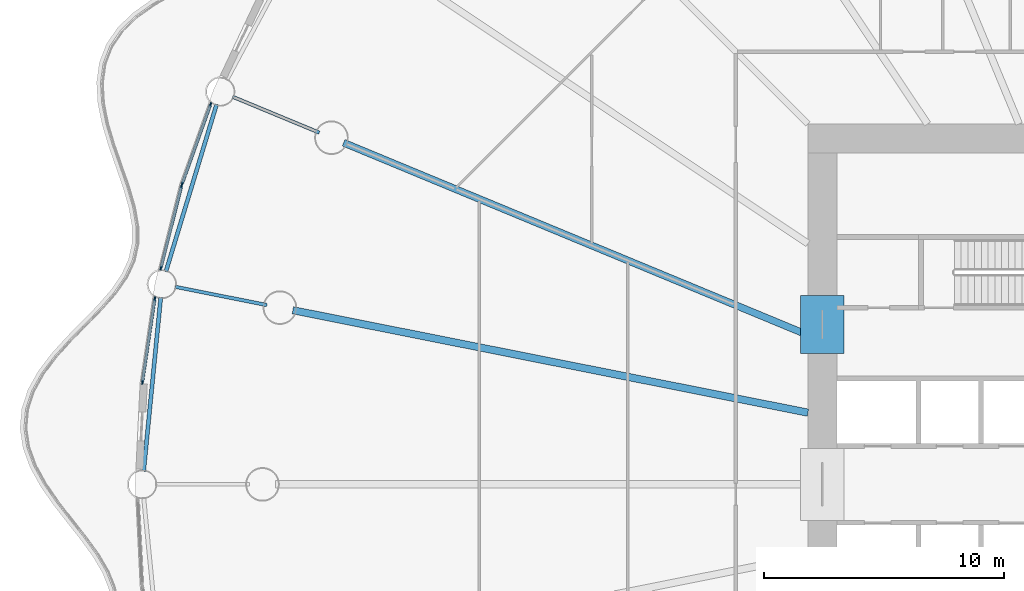
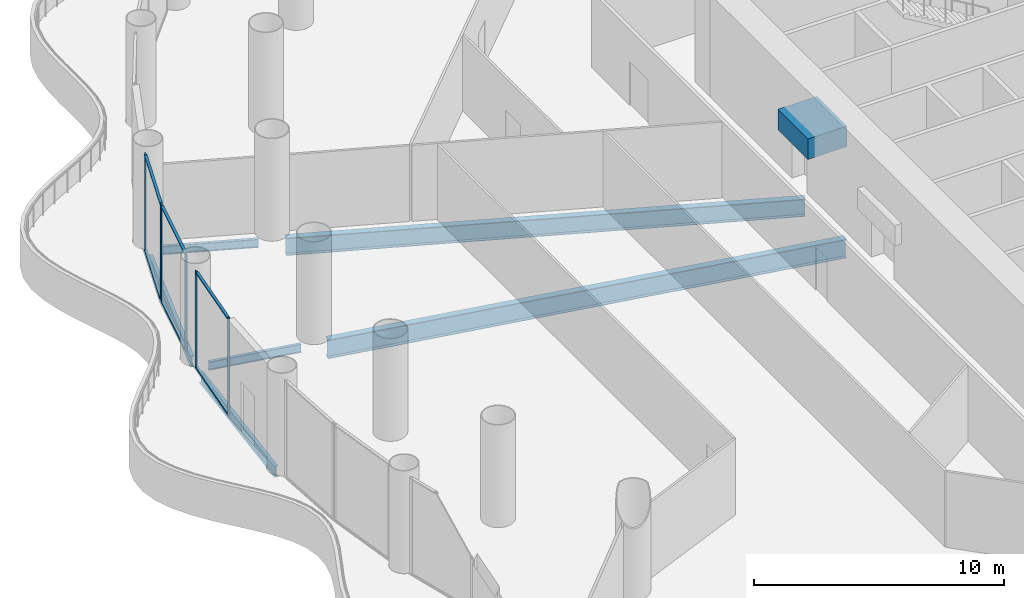
# One storey, part 8 of 35: 12 members, 7 beams, 3 elements without a shape of their own.
"""IFC4 building model written with IfcOpenShell, lengths in metres."""

import ifcopenshell
import ifcopenshell.guid

model = None  # the IFC model being written
_history = None  # IfcOwnerHistory: only IFC2X3 demands one
_inside = {}  # id of a spatial element -> (the spatial element, [elements in it])
_under = {}  # id of a project, library or spatial element -> (it, [spatial elements below it])
_declared = {}  # id of a project -> (the project, [libraries it declares])
_typed = {}  # id of a type object -> (the type object, [elements of that type])
_made_of = {}  # id of a material, layer set ... -> (it, [elements and type objects made of it])


def new_model(schema):
    """Start an empty IFC model of exactly this schema.

    Asked for "IFC4X3", IfcOpenShell would pick the latest addendum, in which some entities
    have other attributes; the version numbers below select the first issue.
    IFC2X3 requires an IfcOwnerHistory on every rooted entity: one is made here for all.
    """
    global model, _history
    if schema == "IFC4X3":
        model = ifcopenshell.file(schema_version=(4, 3, 0, 0))
    else:
        model = ifcopenshell.file(schema=schema)
    _inside.clear()
    _under.clear()
    _declared.clear()
    _typed.clear()
    _made_of.clear()
    _history = None
    if model.schema == "IFC2X3":
        org = make("IfcOrganization", Name="unknown")
        user = make(
            "IfcPersonAndOrganization",
            ThePerson=make("IfcPerson", FamilyName="unknown"),
            TheOrganization=org,
        )
        app = make(
            "IfcApplication",
            ApplicationDeveloper=org,
            Version="unknown",
            ApplicationFullName="unknown",
            ApplicationIdentifier="unknown",
        )
        _history = make(
            "IfcOwnerHistory",
            OwningUser=user,
            OwningApplication=app,
            ChangeAction="ADDED",
            CreationDate=0,
        )
    return model


def make(cls, **values):
    """One entity of the class cls with the attributes given. An attribute that is None is left unset."""
    return model.create_entity(
        cls, **{name: value for name, value in values.items() if value is not None}
    )


def rooted(cls, **values):
    """An entity with a GlobalId (a new one), such as an element, a storey or a relation."""
    return make(cls, GlobalId=ifcopenshell.guid.new(), OwnerHistory=_history, **values)


def si_unit(unit_type, name, prefix=None):
    """IfcSIUnit, for example si_unit("LENGTHUNIT", "METRE", prefix="MILLI")."""
    return make("IfcSIUnit", UnitType=unit_type, Prefix=prefix, Name=name)


def assignment(units):
    """IfcUnitAssignment: the units of a project."""
    return None if units is None else make("IfcUnitAssignment", Units=units)


def point(xyz):
    """IfcCartesianPoint."""
    return None if xyz is None else make("IfcCartesianPoint", Coordinates=xyz)


def direction(xyz):
    """IfcDirection."""
    return None if xyz is None else make("IfcDirection", DirectionRatios=xyz)


def frame(location, z_axis=None, x_axis=None):
    """IfcAxis2Placement3D, a coordinate frame: its origin and axes. An axis left out is left unset."""
    return make(
        "IfcAxis2Placement3D",
        Location=point(location),
        Axis=direction(z_axis),
        RefDirection=direction(x_axis),
    )


def frame_2d(location, x_axis=None):
    """IfcAxis2Placement2D, a coordinate frame in the plane: its origin and x axis."""
    return make(
        "IfcAxis2Placement2D", Location=point(location), RefDirection=direction(x_axis)
    )


def origin():
    """The frame at (0, 0, 0) with its axes left unset."""
    return frame((0.0, 0.0, 0.0))


def origin_2d():
    """The frame at (0, 0) in the plane with its x axis left unset."""
    return frame_2d((0.0, 0.0))


def place(relative_to, where):
    """IfcLocalPlacement: puts the frame where relative to a parent placement (None: the world)."""
    return make(
        "IfcLocalPlacement", PlacementRelTo=relative_to, RelativePlacement=where
    )


def context(
    kind, dimensions, precision=None, world=None, true_north=None, identifier=None
):
    """IfcGeometricRepresentationContext, for example the 3D "Model" context."""
    return make(
        "IfcGeometricRepresentationContext",
        ContextIdentifier=identifier,
        ContextType=kind,
        CoordinateSpaceDimension=dimensions,
        Precision=precision,
        WorldCoordinateSystem=world,
        TrueNorth=true_north,
    )


def subcontext(parent, identifier, kind, view, scale=None):
    """IfcGeometricRepresentationSubContext, for example "Body" below "Model"."""
    return make(
        "IfcGeometricRepresentationSubContext",
        ContextIdentifier=identifier,
        ContextType=kind,
        ParentContext=parent,
        TargetScale=scale,
        TargetView=view,
    )


def project(units=None, contexts=None):
    """IfcProject with its units and contexts."""
    return rooted(
        "IfcProject",
        Name="project",
        RepresentationContexts=contexts,
        UnitsInContext=assignment(units),
    )


def spatial(cls, under=None, at=None, **own):
    """A site, building, storey or space (cls), placed at a placement, below another one or the project."""
    s = rooted(cls, ObjectPlacement=at, **own)
    if under is not None:
        _under.setdefault(under.id(), (under, []))[1].append(s)
    return s


def profile(cls, at=None, kind="AREA", **sizes):
    """A parametric profile (cls). Its sizes go by their IFC names, for example OverallWidth=200.0."""
    return make(cls, ProfileType=kind, Position=at, **sizes)


def rectangle(**sizes):
    """IfcRectangleProfileDef."""
    return profile("IfcRectangleProfileDef", **sizes)


def i_section(**sizes):
    """IfcIShapeProfileDef."""
    return profile("IfcIShapeProfileDef", **sizes)


def extrude(swept, where, along, depth):
    """IfcExtrudedAreaSolid: the profile swept, set in the frame where, extruded along a direction by depth."""
    return make(
        "IfcExtrudedAreaSolid",
        SweptArea=swept,
        Position=where,
        ExtrudedDirection=direction(along),
        Depth=depth,
    )


def shape(context_of_items, identifier, shape_type, items):
    """IfcShapeRepresentation: the items that make up one representation, for example the "Body"."""
    return make(
        "IfcShapeRepresentation",
        ContextOfItems=context_of_items,
        RepresentationIdentifier=identifier,
        RepresentationType=shape_type,
        Items=items,
    )


def material(Name=None, Category=None):
    """IfcMaterial."""
    return make("IfcMaterial", Name=Name, Category=Category)


def material_profile(
    of_material, cross_section, Name=None, Category=None, Priority=None
):
    """IfcMaterialProfile: a cross section and its material."""
    return make(
        "IfcMaterialProfile",
        Name=Name,
        Material=of_material,
        Profile=cross_section,
        Priority=Priority,
        Category=Category,
    )


def profile_set(profiles, Name=None, composite=None):
    """IfcMaterialProfileSet."""
    return make(
        "IfcMaterialProfileSet",
        Name=Name,
        MaterialProfiles=profiles,
        CompositeProfile=composite,
    )


def made_of(thing, what):
    """Note that an element or type object is made of a material, layer set ...; save() writes the relation."""
    if what is not None:
        _made_of.setdefault(what.id(), (what, []))[1].append(thing)
    return thing


def type_object(cls, material=None, **own):
    """A type object (cls), such as IfcWallType, which elements share."""
    return made_of(rooted(cls, **own), material)


def element(
    cls,
    number,
    at=None,
    inside=None,
    cuts=None,
    type_object=None,
    material=None,
    context=None,
    identifier="Body",
    shape_type=None,
    held_by="IfcProductDefinitionShape",
    body=None,
    shapes=None,
    **own,
):
    """One element of the class cls, such as IfcWall. Its Tag is "e" and its number.

    at: its placement. inside: the storey or other place that contains it. cuts: it is an
    opening in that element (IfcRelVoidsElement). A single representation is given by context,
    identifier, shape_type and body (its items); several are given by shapes. held_by: the class
    of the entity that holds the representations. save() writes the other relations.
    """
    e = rooted(cls, Tag="e%d" % number, ObjectPlacement=at, **own)
    if body is not None:
        shapes = [shape(context, identifier, shape_type, body)]
    if shapes is not None:
        e.Representation = make(held_by, Representations=shapes)
    if inside is not None:
        _inside.setdefault(inside.id(), (inside, []))[1].append(e)
    if cuts is not None:
        rooted(
            "IfcRelVoidsElement", RelatingBuildingElement=cuts, RelatedOpeningElement=e
        )
    if type_object is not None:
        _typed.setdefault(type_object.id(), (type_object, []))[1].append(e)
    return made_of(e, material)


def aggregate(whole, parts):
    """IfcRelAggregates: a whole, such as a stair, and the parts it consists of."""
    return rooted("IfcRelAggregates", RelatingObject=whole, RelatedObjects=parts)


def save(model, path):
    """Write the relations noted so far, then the file.

    IfcRelAggregates (storeys below a building ...), IfcRelContainedInSpatialStructure (elements
    in a storey), IfcRelDefinesByType, IfcRelAssociatesMaterial and IfcRelDeclares: one each for
    every whole, place, type object, material and project.
    """
    for whole, parts in _under.values():
        aggregate(whole, parts)
    for where, things in _inside.values():
        rooted(
            "IfcRelContainedInSpatialStructure",
            RelatedElements=things,
            RelatingStructure=where,
        )
    for kind, things in _typed.values():
        rooted("IfcRelDefinesByType", RelatedObjects=things, RelatingType=kind)
    for what, things in _made_of.values():
        rooted("IfcRelAssociatesMaterial", RelatedObjects=things, RelatingMaterial=what)
    for by, libraries in _declared.values():
        rooted("IfcRelDeclares", RelatingContext=by, RelatedDefinitions=libraries)
    model.write(path)


model = new_model("IFC4")

# Units and contexts
model_context = context("Model", 3, precision=1e-05, world=origin(), true_north=direction((0.0, 1.0)))
body_context = subcontext(model_context, "Body", "Model", "MODEL_VIEW")
ifc_project = project(units=[si_unit("LENGTHUNIT", "METRE"), si_unit("AREAUNIT", "SQUARE_METRE"), si_unit("VOLUMEUNIT", "CUBIC_METRE"), si_unit("PLANEANGLEUNIT", "RADIAN"), si_unit("MASSUNIT", "GRAM", prefix="KILO")], contexts=[model_context])

# Site, building, storey
site_placement = place(None, origin())
site = spatial("IfcSite", under=ifc_project, at=site_placement, CompositionType="ELEMENT")
building_placement = place(site_placement, origin())
building = spatial("IfcBuilding", under=site, at=building_placement, Name="Corvane Civic Tower", CompositionType="ELEMENT")
storey_placement = place(building_placement, frame((0.0, 0.0, 27.0)))
storey = spatial("IfcBuildingStorey", under=building, at=storey_placement, Name="L05", CompositionType="ELEMENT", Elevation=27.0)

# Beams
ifc_material_1 = material(Name="Concrete C80/95", Category="concrete")
ifc_material_profile_1 = material_profile(ifc_material_1, rectangle(XDim=1.800048828125, YDim=1.0, at=origin_2d()), Name="COUPLING BEAM 1800X1000")
ifc_profile_set_1 = profile_set([ifc_material_profile_1], Name="Concrete C80/95")
beam_type_1 = type_object("IfcBeamType", Name="COUPLING BEAM COUPLING BEAM 1800X1000", PredefinedType="BEAM", material=ifc_profile_set_1)
beam_1_placement = place(storey_placement, frame((-14.39990234375, 5.449951171875, 2.60009765625), z_axis=(0.0, 1.0, 0.0), x_axis=(-1.0, 0.0, 0.0)))
element("IfcBeam", 1, at=beam_1_placement, inside=storey, type_object=beam_type_1, Name="BM-L05-cpl-CW-WN", PredefinedType="BEAM", context=body_context, shape_type="SweptSolid", body=[
    extrude(rectangle(XDim=1.800048828125, YDim=1.0, at=origin_2d()), origin(), (0.0, 0.0, 1.0), 2.400146484375),
])
ifc_material_2 = material(Name="Steel ASTM A992 Gr 50", Category="steel")
ifc_material_profile_2 = material_profile(ifc_material_2, i_section(OverallWidth=0.165771484375, OverallDepth=0.5283203125, WebThickness=0.009765625, FlangeThickness=0.013671875, at=origin_2d()), Name="W21X50")
ifc_profile_set_2 = profile_set([ifc_material_profile_2], Name="Steel ASTM A992 Gr 50")
beam_type_2 = type_object("IfcBeamType", Name="EDGE BEAM W21X50", PredefinedType="BEAM", material=ifc_profile_set_2)
for number, where, z_axis, x_axis, name in (
    (2, (-42.64599609375, 0.54736328125, -0.564208984375), (0.097984225478, 0.995187967953, 0.0), (-0.995187967953, 0.097984225478, 0.0), "BM-L05-E25"),
    (3, (-41.719970703125, 8.856689453125, -0.564208984375), (0.290291633127, 0.956938225664, 0.0), (-0.956938225664, 0.290291633127, 0.0), "BM-L05-E26"),
):
    element("IfcBeam", number, at=place(storey_placement, frame(where, z_axis=z_axis, x_axis=x_axis)), inside=storey, type_object=beam_type_2, Name=name, PredefinedType="BEAM", context=body_context, shape_type="SweptSolid", body=[
        extrude(i_section(OverallWidth=0.165771484375, OverallDepth=0.5283203125, WebThickness=0.009765625, FlangeThickness=0.013671875, at=origin_2d()), origin(), (0.0, 0.0, 1.0), 7.2705078125),
    ])
ifc_material_3 = material(Name="Steel ASTM A992 Gr 50", Category="steel")
ifc_material_profile_3 = material_profile(ifc_material_3, i_section(OverallWidth=0.140380859375, OverallDepth=0.40380859375, WebThickness=0.007080078125, FlangeThickness=0.01123046875, at=origin_2d()), Name="W16X31")
ifc_profile_set_3 = profile_set([ifc_material_profile_3], Name="Steel ASTM A992 Gr 50")
beam_type_3 = type_object("IfcBeamType", Name="FLOOR GIRDER W16X31", PredefinedType="BEAM", material=ifc_profile_set_3)
for number, where, z_axis, x_axis, name in (
    (4, (-37.51513671875, 7.462158203125, -0.501953125), (-0.980777614264, 0.195128858343, 0.0), (-0.195128858343, -0.980777614264, 0.0), "BM-L05-G26b"),
    (5, (-35.33837890625, 14.6376953125, -0.501953125), (-0.923878730261, 0.382685369162, 0.0), (-0.382685369162, -0.923878730261, 0.0), "BM-L05-G27b"),
):
    element("IfcBeam", number, at=place(storey_placement, frame(where, z_axis=z_axis, x_axis=x_axis)), inside=storey, type_object=beam_type_3, Name=name, PredefinedType="BEAM", context=body_context, shape_type="SweptSolid", body=[
        extrude(i_section(OverallWidth=0.140380859375, OverallDepth=0.40380859375, WebThickness=0.007080078125, FlangeThickness=0.01123046875, at=origin_2d()), origin(), (0.0, 0.0, 1.0), 3.89990234375),
    ])
ifc_material_4 = material(Name="Steel ASTM A992 Gr 50", Category="steel")
ifc_material_profile_4 = material_profile(ifc_material_4, i_section(OverallWidth=0.2919921875, OverallDepth=0.845703125, WebThickness=0.015380859375, FlangeThickness=0.0244140625, at=origin_2d()), Name="W33X141")
ifc_profile_set_4 = profile_set([ifc_material_profile_4], Name="Steel ASTM A992 Gr 50")
beam_type_4 = type_object("IfcBeamType", Name="FLOOR GIRDER W33X141", PredefinedType="BEAM", material=ifc_profile_set_4)
beam_2_placement = place(storey_placement, frame((-15.0, 6.213134765625, -0.722900390625), z_axis=(-0.923875834355, 0.382692360381, 0.0), x_axis=(-0.382692360381, -0.923875834355, 0.0)))
element("IfcBeam", 6, at=beam_2_placement, inside=storey, type_object=beam_type_4, Name="BM-L05-G27", PredefinedType="BEAM", context=body_context, shape_type="SweptSolid", body=[
    extrude(i_section(OverallWidth=0.2919921875, OverallDepth=0.845703125, WebThickness=0.015380859375, FlangeThickness=0.0244140625, at=origin_2d()), origin(), (0.0, 0.0, 1.0), 20.9140625),
])
ifc_material_5 = material(Name="Steel ASTM A992 Gr 50", Category="steel")
ifc_material_profile_5 = material_profile(ifc_material_5, i_section(OverallWidth=0.3046875, OverallDepth=0.911865234375, WebThickness=0.015869140625, FlangeThickness=0.02392578125, at=origin_2d()), Name="W36X150")
ifc_profile_set_5 = profile_set([ifc_material_profile_5], Name="Steel ASTM A992 Gr 50")
beam_type_5 = type_object("IfcBeamType", Name="FLOOR GIRDER W36X150", PredefinedType="BEAM", material=ifc_profile_set_5)
beam_3_placement = place(storey_placement, frame((-15.0, 2.983642578125, -0.755859375), z_axis=(-0.980785499679, 0.195089219638, 0.0), x_axis=(-0.195089219638, -0.980785499679, 0.0)))
element("IfcBeam", 7, at=beam_3_placement, inside=storey, type_object=beam_type_5, Name="BM-L05-G26", PredefinedType="BEAM", context=body_context, shape_type="SweptSolid", body=[
    extrude(i_section(OverallWidth=0.3046875, OverallDepth=0.911865234375, WebThickness=0.015869140625, FlangeThickness=0.02392578125, at=origin_2d()), origin(), (0.0, 0.0, 1.0), 21.856201171875),
])

# Curtain wall, members
ifc_material_6 = material(Name="Aluminium and glass", Category="aluminium")
curtain_wall_type = type_object("IfcCurtainWallType", Name="PODIUM-CW-P-RUN", PredefinedType="NOTDEFINED", material=ifc_material_6)
curtain_wall_1_placement = place(storey_placement, origin())
curtain_wall_1 = element("IfcCurtainWall", 8, at=curtain_wall_1_placement, inside=storey, type_object=curtain_wall_type, Name="PODI run L05-drum-25B", PredefinedType="NOTDEFINED")
ifc_material_7 = material(Name="Anodised aluminium bronze", Category="aluminium")
ifc_material_profile_6 = material_profile(ifc_material_7, rectangle(XDim=0.06005859375, YDim=0.159912109375, at=origin_2d()), Name="AL 60x160")
ifc_profile_set_6 = profile_set([ifc_material_profile_6], Name="Anodised aluminium bronze")
member_type_1 = type_object("IfcMemberType", Name="PODIUM-CWP-MULLION-60x160", PredefinedType="MULLION", material=ifc_profile_set_6)
member_1_placement = place(storey_placement, frame((-42.696533203125, 4.2509765625, 0.0), z_axis=(0.0, 0.0, 1.0), x_axis=(-0.989178850608, 0.146714694252, 0.0)))
member_1 = element("IfcMember", 9, at=member_1_placement, type_object=member_type_1, Name="CW-P mullion 1", PredefinedType="MULLION", context=body_context, shape_type="SweptSolid", body=[
    extrude(rectangle(XDim=0.06005859375, YDim=0.159912109375, at=origin_2d()), origin(), (0.0, 0.0, 1.0), 4.699951171875),
])
member_2_placement = place(storey_placement, frame((-42.18017578125, 7.732666015625, 0.0), z_axis=(0.0, 0.0, 1.0), x_axis=(-0.989178850608, 0.146714694252, 0.0)))
member_2 = element("IfcMember", 10, at=member_2_placement, type_object=member_type_1, Name="CW-P mullion 2", PredefinedType="MULLION", context=body_context, shape_type="SweptSolid", body=[
    extrude(rectangle(XDim=0.06005859375, YDim=0.159912109375, at=origin_2d()), origin(), (0.0, 0.0, 1.0), 4.699951171875),
])

curtain_wall_2_placement = place(storey_placement, origin())
curtain_wall_2 = element("IfcCurtainWall", 11, at=curtain_wall_2_placement, inside=storey, type_object=curtain_wall_type, Name="PODI run L05-drum-26A", PredefinedType="NOTDEFINED")
member_3_placement = place(storey_placement, frame((-41.9287109375, 8.99755859375, 0.0), z_axis=(0.0, 0.0, 1.0), x_axis=(-0.970024070659, 0.243008852393, 0.0)))
member_3 = element("IfcMember", 12, at=member_3_placement, type_object=member_type_1, Name="CW-P mullion 1", PredefinedType="MULLION", context=body_context, shape_type="SweptSolid", body=[
    extrude(rectangle(XDim=0.06005859375, YDim=0.159912109375, at=origin_2d()), origin(), (0.0, 0.0, 1.0), 4.699951171875),
])
member_4_placement = place(storey_placement, frame((-41.0732421875, 12.411865234375, 0.0), z_axis=(0.0, 0.0, 1.0), x_axis=(-0.970024070659, 0.243008852393, 0.0)))
member_4 = element("IfcMember", 13, at=member_4_placement, type_object=member_type_1, Name="CW-P mullion 2", PredefinedType="MULLION", context=body_context, shape_type="SweptSolid", body=[
    extrude(rectangle(XDim=0.06005859375, YDim=0.159912109375, at=origin_2d()), origin(), (0.0, 0.0, 1.0), 4.699951171875),
])

curtain_wall_3_placement = place(storey_placement, origin())
curtain_wall_3 = element("IfcCurtainWall", 14, at=curtain_wall_3_placement, inside=storey, type_object=curtain_wall_type, Name="PODI run L05-drum-26B", PredefinedType="NOTDEFINED")
member_5_placement = place(storey_placement, frame((-41.046875, 12.4990234375, 0.0), z_axis=(0.0, 0.0, 1.0), x_axis=(-0.941533802561, 0.336918534123, 0.0)))
member_5 = element("IfcMember", 15, at=member_5_placement, type_object=member_type_1, Name="CW-P mullion 1", PredefinedType="MULLION", context=body_context, shape_type="SweptSolid", body=[
    extrude(rectangle(XDim=0.06005859375, YDim=0.159912109375, at=origin_2d()), origin(), (0.0, 0.0, 1.0), 4.699951171875),
])
member_6_placement = place(storey_placement, frame((-39.861083984375, 15.81298828125, 0.0), z_axis=(0.0, 0.0, 1.0), x_axis=(-0.941533802561, 0.336918534123, 0.0)))
member_6 = element("IfcMember", 16, at=member_6_placement, type_object=member_type_1, Name="CW-P mullion 2", PredefinedType="MULLION", context=body_context, shape_type="SweptSolid", body=[
    extrude(rectangle(XDim=0.06005859375, YDim=0.159912109375, at=origin_2d()), origin(), (0.0, 0.0, 1.0), 4.699951171875),
])

# Member
ifc_material_8 = material(Name="Anodised aluminium bronze", Category="aluminium")
ifc_material_profile_7 = material_profile(ifc_material_8, rectangle(XDim=0.1201171875, YDim=0.06005859375, at=origin_2d()), Name="AL 120x60")
ifc_profile_set_7 = profile_set([ifc_material_profile_7], Name="Anodised aluminium bronze")
member_type_2 = type_object("IfcMemberType", Name="PODIUM-CWP-TRANSOM-60x120", PredefinedType="USERDEFINED", material=ifc_profile_set_7)
member_7_placement = place(storey_placement, frame((-42.692138671875, 4.28076171875, 0.030029296875), z_axis=(0.146704660039, 0.989180338828, 0.0), x_axis=(-0.989180338828, 0.146704660039, 0.0)))
member_7 = element("IfcMember", 17, at=member_7_placement, type_object=member_type_2, Name="CW-P transom 1.1", ObjectType="TRANSOM", PredefinedType="USERDEFINED", context=body_context, shape_type="SweptSolid", body=[
    extrude(rectangle(XDim=0.1201171875, YDim=0.06005859375, at=origin_2d()), origin(), (0.0, 0.0, 1.0), 3.459716796875),
])

member_8_placement = place(storey_placement, frame((-42.692138671875, 4.28076171875, 4.669921875), z_axis=(0.146704660039, 0.989180338828, 0.0), x_axis=(-0.989180338828, 0.146704660039, 0.0)))
member_8 = element("IfcMember", 18, at=member_8_placement, type_object=member_type_2, Name="CW-P transom 1.2", ObjectType="TRANSOM", PredefinedType="USERDEFINED", context=body_context, shape_type="SweptSolid", body=[
    extrude(rectangle(XDim=0.1201171875, YDim=0.06005859375, at=origin_2d()), origin(), (0.0, 0.0, 1.0), 3.459716796875),
])

aggregate(curtain_wall_1, [member_1, member_2, member_7, member_8])

member_9_placement = place(storey_placement, frame((-41.92138671875, 9.026611328125, 0.030029296875), z_axis=(0.243017080124, 0.970022009425, 0.0), x_axis=(-0.970022009425, 0.243017080124, 0.0)))
member_9 = element("IfcMember", 19, at=member_9_placement, type_object=member_type_2, Name="CW-P transom 1.1", ObjectType="TRANSOM", PredefinedType="USERDEFINED", context=body_context, shape_type="SweptSolid", body=[
    extrude(rectangle(XDim=0.1201171875, YDim=0.06005859375, at=origin_2d()), origin(), (0.0, 0.0, 1.0), 3.4599609375),
])

member_10_placement = place(storey_placement, frame((-41.92138671875, 9.026611328125, 4.669921875), z_axis=(0.243017080124, 0.970022009425, 0.0), x_axis=(-0.970022009425, 0.243017080124, 0.0)))
member_10 = element("IfcMember", 20, at=member_10_placement, type_object=member_type_2, Name="CW-P transom 1.2", ObjectType="TRANSOM", PredefinedType="USERDEFINED", context=body_context, shape_type="SweptSolid", body=[
    extrude(rectangle(XDim=0.1201171875, YDim=0.06005859375, at=origin_2d()), origin(), (0.0, 0.0, 1.0), 3.4599609375),
])

aggregate(curtain_wall_2, [member_3, member_4, member_9, member_10])

member_11_placement = place(storey_placement, frame((-41.036865234375, 12.527099609375, 0.030029296875), z_axis=(0.336939787896, 0.941526196838, 0.0), x_axis=(-0.941526196838, 0.336939787896, 0.0)))
member_11 = element("IfcMember", 21, at=member_11_placement, type_object=member_type_2, Name="CW-P transom 1.1", ObjectType="TRANSOM", PredefinedType="USERDEFINED", context=body_context, shape_type="SweptSolid", body=[
    extrude(rectangle(XDim=0.1201171875, YDim=0.06005859375, at=origin_2d()), origin(), (0.0, 0.0, 1.0), 3.4599609375),
])

member_12_placement = place(storey_placement, frame((-41.036865234375, 12.527099609375, 4.669921875), z_axis=(0.336939787896, 0.941526196838, 0.0), x_axis=(-0.941526196838, 0.336939787896, 0.0)))
member_12 = element("IfcMember", 22, at=member_12_placement, type_object=member_type_2, Name="CW-P transom 1.2", ObjectType="TRANSOM", PredefinedType="USERDEFINED", context=body_context, shape_type="SweptSolid", body=[
    extrude(rectangle(XDim=0.1201171875, YDim=0.06005859375, at=origin_2d()), origin(), (0.0, 0.0, 1.0), 3.4599609375),
])

aggregate(curtain_wall_3, [member_5, member_6, member_11, member_12])

save(model, "model.ifc")
